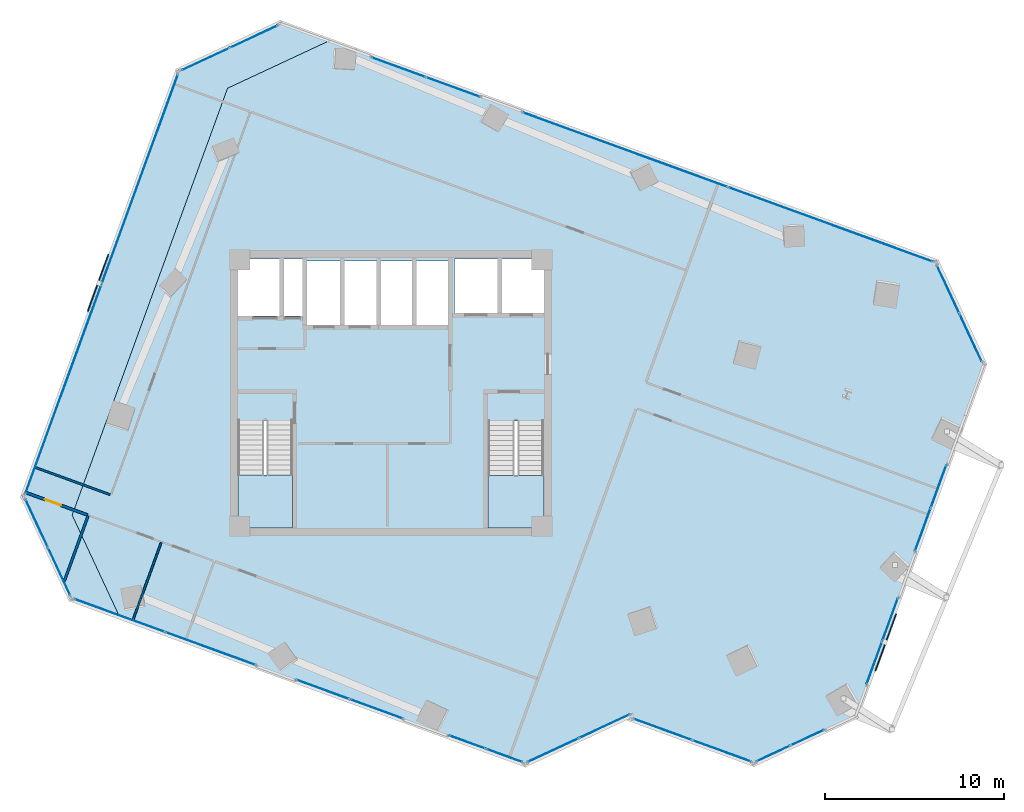
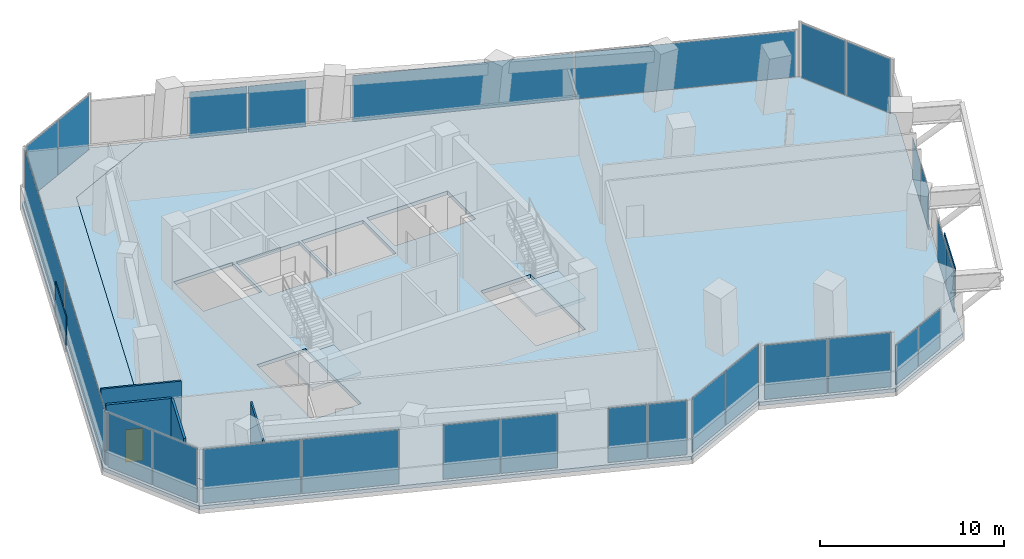
# One storey, part 15 of 21: 30 plates, 4 slabs, 4 walls, 1 door, 1 opening, 16 elements without a shape of their own.
"""IFC4 building model written with IfcOpenShell, lengths in metres."""

from ifc_helpers import new_model, si_unit, direction, frame, frame_2d, origin, origin_2d, place, context, subcontext, project, spatial, polyline, rectangle, outline, extrude, source, transform, mapped, material, layer, layer_set, type_object, element, fill, aggregate, save


model = new_model("IFC4")

# Units and contexts
model_context = context("Model", 3, precision=1e-05, world=origin(), true_north=direction((0.0, 1.0)))
body_context = subcontext(model_context, "Body", "Model", "MODEL_VIEW")
ifc_project = project(units=[si_unit("LENGTHUNIT", "METRE"), si_unit("AREAUNIT", "SQUARE_METRE"), si_unit("VOLUMEUNIT", "CUBIC_METRE"), si_unit("PLANEANGLEUNIT", "RADIAN"), si_unit("MASSUNIT", "GRAM", prefix="KILO")], contexts=[model_context])

# Site, building, storey
site_placement = place(None, origin())
site = spatial("IfcSite", under=ifc_project, at=site_placement, CompositionType="ELEMENT")
building_placement = place(site_placement, origin())
building = spatial("IfcBuilding", under=site, at=building_placement, Name="Torre Montelarca", CompositionType="ELEMENT")
storey_placement = place(building_placement, frame((0.0, 0.0, 137.199951171875)))
storey = spatial("IfcBuildingStorey", under=building, at=storey_placement, Name="L30", CompositionType="ELEMENT", Elevation=137.199951171875)

# Slabs
ifc_material_1 = material(Name="Concrete C40/50", Category="concrete")
ifc_layer_1 = layer(ifc_material_1, 0.239990234375, Name="Concrete C40/50", Category="concrete")
ifc_layer_set_1 = layer_set([ifc_layer_1], Name="Concrete C40/50")
slab_type_1 = type_object("IfcSlabType", Name="SL-FLR-240", PredefinedType="FLOOR", material=ifc_layer_set_1)
slab_1_placement = place(storey_placement, frame((0.0, 0.0, -0.239990234375)))
element("IfcSlab", 1, at=slab_1_placement, inside=storey, type_object=slab_type_1, Name="L30 Structural Floor Slab", PredefinedType="FLOOR", context=body_context, shape_type="SweptSolid", body=[
    extrude(outline(polyline([(25.517822265625, 11.169677734375), (31.28564453125, 13.859130859375), (31.25146484375, 13.76513671875), (38.299072265625, 11.199951171875), (44.06689453125, 13.889404296875), (51.249267578125, 33.623046875), (48.559814453125, 39.390869140625), (14.63671875, 51.73779296875), (8.869140625, 49.048095703125), (0.181884765625, 25.179931640625), (2.871337890625, 19.412353515625), (25.517822265625, 11.169677734375)]), holes=[polyline([(26.550048828125, 24.449951171875), (23.43994140625, 24.449951171875), (23.43994140625, 30.429931640625), (26.550048828125, 30.429931640625), (26.550048828125, 24.449951171875)]), polyline([(9.449951171875, 24.449951171875), (9.449951171875, 30.4599609375), (12.5, 30.4599609375), (12.5, 24.449951171875), (9.449951171875, 24.449951171875)]), polyline([(17.25, 35.800048828125), (13.300048828125, 35.800048828125), (13.300048828125, 39.39990234375), (17.25, 39.39990234375), (17.25, 35.800048828125)]), polyline([(21.25, 39.39990234375), (21.25, 35.800048828125), (17.39990234375, 35.800048828125), (17.39990234375, 39.39990234375), (21.25, 39.39990234375)]), polyline([(13.1201171875, 36.300048828125), (9.449951171875, 36.300048828125), (9.449951171875, 39.5), (13.1201171875, 39.5), (13.1201171875, 36.300048828125)]), polyline([(26.60009765625, 36.449951171875), (21.550048828125, 36.449951171875), (21.550048828125, 39.5), (26.60009765625, 39.5), (26.60009765625, 36.449951171875)])]), origin(), (0.0, 0.0, 1.0), 0.239990234375),
])
slab_2_placement = place(storey_placement, frame((0.0, 0.0, -0.239990234375)))
element("IfcSlab", 2, at=slab_2_placement, inside=storey, type_object=slab_type_1, Name="L30 Sliding Tray Winter Garden Floor Slab W1", PredefinedType="FLOOR", context=body_context, shape_type="SweptSolid", body=[
    extrude(outline(polyline([(2.871337890625, 19.412353515625), (0.181884765625, 25.179931640625), (8.869140625, 49.048095703125), (14.63671875, 51.73779296875), (11.817626953125, 52.763671875), (6.050048828125, 50.07421875), (-2.63720703125, 26.2060546875), (0.05224609375, 20.438232421875), (2.871337890625, 19.412353515625)])), origin(), (0.0, 0.0, 1.0), 0.239990234375),
])

# Stair, slab
stair_type_1 = type_object("IfcStairType", Name="ST-CORE-ST1", PredefinedType="HALF_TURN_STAIR", material=ifc_material_1)
stair_1_placement = place(storey_placement, origin())
stair_1 = element("IfcStair", 3, at=stair_1_placement, inside=storey, type_object=stair_type_1, Name="L30 Protected Exit Stair ST1", PredefinedType="HALF_TURN_STAIR")
ifc_layer_2 = layer(ifc_material_1, 0.199951171875, Name="Concrete C40/50", Category="concrete")
ifc_layer_set_2 = layer_set([ifc_layer_2], Name="Concrete C40/50")
slab_type_2 = type_object("IfcSlabType", Name="SL-ST-LAND-ST1", PredefinedType="LANDING", material=ifc_layer_set_2)
slab_3_placement = place(storey_placement, frame((0.0, 0.0, 1.900146484375)))
slab_3 = element("IfcSlab", 4, at=slab_3_placement, type_object=slab_type_2, Name="ST1 landing 1", PredefinedType="LANDING", context=body_context, shape_type="SweptSolid", body=[
    extrude(outline(polyline([(9.449951171875, 27.419921875), (9.449951171875, 24.449951171875), (12.5, 24.449951171875), (12.5, 27.419921875), (9.449951171875, 27.419921875)])), origin(), (0.0, 0.0, 1.0), 0.199951171875),
])
aggregate(stair_1, [slab_3])

stair_type_2 = type_object("IfcStairType", Name="ST-CORE-ST2", PredefinedType="HALF_TURN_STAIR", material=ifc_material_1)
stair_2_placement = place(storey_placement, origin())
stair_2 = element("IfcStair", 5, at=stair_2_placement, inside=storey, type_object=stair_type_2, Name="L30 Protected Exit Stair ST2", PredefinedType="HALF_TURN_STAIR")
ifc_layer_3 = layer(ifc_material_1, 0.199951171875, Name="Concrete C40/50", Category="concrete")
ifc_layer_set_3 = layer_set([ifc_layer_3], Name="Concrete C40/50")
slab_type_3 = type_object("IfcSlabType", Name="SL-ST-LAND-ST2", PredefinedType="LANDING", material=ifc_layer_set_3)
slab_4_placement = place(storey_placement, frame((0.0, 0.0, 1.900146484375)))
slab_4 = element("IfcSlab", 6, at=slab_4_placement, type_object=slab_type_3, Name="ST2 landing 1", PredefinedType="LANDING", context=body_context, shape_type="SweptSolid", body=[
    extrude(outline(polyline([(23.43994140625, 27.389892578125), (23.43994140625, 24.449951171875), (26.550048828125, 24.449951171875), (26.550048828125, 27.389892578125), (23.43994140625, 27.389892578125)])), origin(), (0.0, 0.0, 1.0), 0.199951171875),
])
aggregate(stair_2, [slab_4])

# Plates
ifc_material_2 = material(Name="Architectural perforated terracotta ceramic", Category="masonry")
ifc_layer_4 = layer(ifc_material_2, 0.06005859375, Name="Architectural perforated terracotta ceramic", Category="masonry")
ifc_layer_set_4 = layer_set([ifc_layer_4], Name="Architectural perforated terracotta ceramic")
plate_type_1 = type_object("IfcPlateType", Name="SCR-CER-60", PredefinedType="USERDEFINED", material=ifc_layer_set_4)
shared_shape_1 = source(origin(), body_context, "Body", "SweptSolid", [
    extrude(rectangle(XDim=3.39990234375, YDim=0.06005859375, at=origin_2d()), origin(), (0.0, 0.0, 1.0), 1.89990234375),
])
for number, where, z_axis, x_axis, name in (
    (7, (45.67138671875, 18.06396484375, 0.5), (0.0, 0.0, 1.0), (0.342018503252, 0.939693217722, 0.0), "L30 Perforated Ceramic Brise-Soleil Screen E6-1"),
    (8, (1.631103515625, 38.16748046875, 0.5), (0.0, 0.0, 1.0), (-0.342020143326, -0.939692620786, 0.0), "L30 Perforated Ceramic Brise-Soleil Screen E10-1"),
):
    element("IfcPlate", number, at=place(storey_placement, frame(where, z_axis=z_axis, x_axis=x_axis)), inside=storey, type_object=plate_type_1, Name=name, ObjectType="SOLAR SCREEN", PredefinedType="USERDEFINED", context=body_context, shape_type="MappedRepresentation", body=[
        mapped(shared_shape_1, transform((0.0, 0.0, 0.0), scale=1.0)),
    ])

# Curtain wall, plates
ifc_material_3 = material(Name="Insulated low-E laminated glass", Category="glass")
curtain_wall_type = type_object("IfcCurtainWallType", Name="CW-SYS-Z2", PredefinedType="USERDEFINED", material=ifc_material_3)
curtain_wall_1_placement = place(storey_placement, origin())
curtain_wall_1 = element("IfcCurtainWall", 9, at=curtain_wall_1_placement, inside=storey, type_object=curtain_wall_type, Name="L30 Curtain Wall Run CW-T3-L30-E02-B1", ObjectType="UNITISED GLAZING", PredefinedType="USERDEFINED")
ifc_layer_5 = layer(ifc_material_3, 0.031982421875, Name="Insulated low-E laminated glass", Category="glass")
ifc_layer_set_5 = layer_set([ifc_layer_5], Name="Insulated low-E laminated glass")
plate_type_2 = type_object("IfcPlateType", Name="CWP-GLZ-32", PredefinedType="CURTAIN_PANEL", material=ifc_layer_set_5)
shared_shape_2 = source(origin(), body_context, "Body", "SweptSolid", [
    extrude(rectangle(XDim=3.102294921875, YDim=0.031982421875, at=origin_2d()), origin(), (0.0, 0.0, 1.0), 3.590087890625),
])
plate_1_placement = place(storey_placement, frame((27.078125, 12.04052734375, 0.06494140625), z_axis=(0.0, 0.0, 1.0), x_axis=(0.906321211244, 0.42258947224, 0.0)))
plate_1 = element("IfcPlate", 10, at=plate_1_placement, type_object=plate_type_2, Name="CW panel 1.1", PredefinedType="CURTAIN_PANEL", context=body_context, shape_type="MappedRepresentation", body=[
    mapped(shared_shape_2, transform((0.0, 0.0, 0.0), scale=1.0)),
])
plate_2_placement = place(storey_placement, frame((29.94873046875, 13.379150390625, 0.06494140625), z_axis=(0.0, 0.0, 1.0), x_axis=(0.906321211244, 0.42258947224, 0.0)))
plate_2 = element("IfcPlate", 11, at=plate_2_placement, type_object=plate_type_2, Name="CW panel 2.1", PredefinedType="CURTAIN_PANEL", context=body_context, shape_type="MappedRepresentation", body=[
    mapped(shared_shape_2, transform((0.0, 0.0, 0.0), scale=1.0)),
])
aggregate(curtain_wall_1, [plate_1, plate_2])

curtain_wall_2_placement = place(storey_placement, origin())
curtain_wall_2 = element("IfcCurtainWall", 12, at=curtain_wall_2_placement, inside=storey, type_object=curtain_wall_type, Name="L30 Curtain Wall Run CW-T3-L30-E04-B1", ObjectType="UNITISED GLAZING", PredefinedType="USERDEFINED")
shared_shape_3 = source(origin(), body_context, "Body", "SweptSolid", [
    extrude(rectangle(XDim=3.448486328125, YDim=0.031982421875, at=origin_2d()), origin(), (0.0, 0.0, 1.0), 3.590087890625),
])
plate_3_placement = place(storey_placement, frame((33.20458984375, 13.192626953125, 0.06494140625), z_axis=(0.0, 0.0, 1.0), x_axis=(0.939694579801, -0.342014760928, 0.0)))
plate_3 = element("IfcPlate", 13, at=plate_3_placement, type_object=plate_type_2, Name="CW panel 1.1", PredefinedType="CURTAIN_PANEL", context=body_context, shape_type="MappedRepresentation", body=[
    mapped(shared_shape_3, transform((0.0, 0.0, 0.0), scale=1.0)),
])
plate_4_placement = place(storey_placement, frame((36.50634765625, 11.990966796875, 0.06494140625), z_axis=(0.0, 0.0, 1.0), x_axis=(0.939694579801, -0.342014760928, 0.0)))
plate_4 = element("IfcPlate", 14, at=plate_4_placement, type_object=plate_type_2, Name="CW panel 2.1", PredefinedType="CURTAIN_PANEL", context=body_context, shape_type="MappedRepresentation", body=[
    mapped(shared_shape_3, transform((0.0, 0.0, 0.0), scale=1.0)),
])
aggregate(curtain_wall_2, [plate_3, plate_4])

curtain_wall_3_placement = place(storey_placement, origin())
curtain_wall_3 = element("IfcCurtainWall", 15, at=curtain_wall_3_placement, inside=storey, type_object=curtain_wall_type, Name="L30 Curtain Wall Run CW-T3-L30-E07-B1", ObjectType="UNITISED GLAZING", PredefinedType="USERDEFINED")
shared_shape_4 = source(origin(), body_context, "Body", "SweptSolid", [
    extrude(rectangle(XDim=2.918701171875, YDim=0.031982421875, at=origin_2d()), origin(), (0.0, 0.0, 1.0), 3.590087890625),
])
plate_5_placement = place(storey_placement, frame((50.4169921875, 35.10009765625, 0.06494140625), z_axis=(0.0, 0.0, 1.0), x_axis=(-0.422597755027, 0.906317349192, 0.0)))
plate_5 = element("IfcPlate", 16, at=plate_5_placement, type_object=plate_type_2, Name="CW panel 1.1", PredefinedType="CURTAIN_PANEL", context=body_context, shape_type="MappedRepresentation", body=[
    mapped(shared_shape_4, transform((0.0, 0.0, 0.0), scale=1.0)),
])
plate_6_placement = place(storey_placement, frame((49.15625, 37.80419921875, 0.06494140625), z_axis=(0.0, 0.0, 1.0), x_axis=(-0.422597755027, 0.906317349192, 0.0)))
plate_6 = element("IfcPlate", 17, at=plate_6_placement, type_object=plate_type_2, Name="CW panel 2.1", PredefinedType="CURTAIN_PANEL", context=body_context, shape_type="MappedRepresentation", body=[
    mapped(shared_shape_4, transform((0.0, 0.0, 0.0), scale=1.0)),
])
aggregate(curtain_wall_3, [plate_5, plate_6])

curtain_wall_4_placement = place(storey_placement, origin())
curtain_wall_4 = element("IfcCurtainWall", 18, at=curtain_wall_4_placement, inside=storey, type_object=curtain_wall_type, Name="L30 Curtain Wall Run CW-T3-L30-E09-B1", ObjectType="UNITISED GLAZING", PredefinedType="USERDEFINED")
plate_7_placement = place(storey_placement, frame((10.3408203125, 51.931640625, 0.06494140625), z_axis=(0.0, 0.0, 1.0), x_axis=(-0.906317349192, -0.422597755027, 0.0)))
plate_7 = element("IfcPlate", 19, at=plate_7_placement, type_object=plate_type_2, Name="CW panel 1.1", PredefinedType="CURTAIN_PANEL", context=body_context, shape_type="MappedRepresentation", body=[
    mapped(shared_shape_4, transform((0.0, 0.0, 0.0), scale=1.0)),
])
plate_8_placement = place(storey_placement, frame((7.63671875, 50.670654296875, 0.06494140625), z_axis=(0.0, 0.0, 1.0), x_axis=(-0.906317349192, -0.422597755027, 0.0)))
plate_8 = element("IfcPlate", 20, at=plate_8_placement, type_object=plate_type_2, Name="CW panel 2.1", PredefinedType="CURTAIN_PANEL", context=body_context, shape_type="MappedRepresentation", body=[
    mapped(shared_shape_4, transform((0.0, 0.0, 0.0), scale=1.0)),
])
aggregate(curtain_wall_4, [plate_7, plate_8])

curtain_wall_5_placement = place(storey_placement, origin())
curtain_wall_5 = element("IfcCurtainWall", 21, at=curtain_wall_5_placement, inside=storey, type_object=curtain_wall_type, Name="L30 Curtain Wall Run CW-T3-L30-E11-B1", ObjectType="UNITISED GLAZING", PredefinedType="USERDEFINED")
plate_9_placement = place(storey_placement, frame((-1.80517578125, 24.72900390625, 0.06494140625), z_axis=(0.0, 0.0, 1.0), x_axis=(0.422597755027, -0.906317349192, 0.0)))
plate_9 = element("IfcPlate", 22, at=plate_9_placement, type_object=plate_type_2, Name="CW panel 1.1", PredefinedType="CURTAIN_PANEL", context=body_context, shape_type="MappedRepresentation", body=[
    mapped(shared_shape_4, transform((0.0, 0.0, 0.0), scale=1.0)),
])
plate_10_placement = place(storey_placement, frame((-0.544189453125, 22.02490234375, 0.06494140625), z_axis=(0.0, 0.0, 1.0), x_axis=(0.422597755027, -0.906317349192, 0.0)))
plate_10 = element("IfcPlate", 23, at=plate_10_placement, type_object=plate_type_2, Name="CW panel 2.1", PredefinedType="CURTAIN_PANEL", context=body_context, shape_type="MappedRepresentation", body=[
    mapped(shared_shape_4, transform((0.0, 0.0, 0.0), scale=1.0)),
])
aggregate(curtain_wall_5, [plate_9, plate_10])

curtain_wall_6_placement = place(storey_placement, origin())
curtain_wall_6 = element("IfcCurtainWall", 24, at=curtain_wall_6_placement, inside=storey, type_object=curtain_wall_type, Name="L30 Curtain Wall Run CW-T3-L30-E10-B1", ObjectType="UNITISED GLAZING", PredefinedType="USERDEFINED")
shared_shape_5 = source(origin(), body_context, "Body", "SweptSolid", [
    extrude(rectangle(XDim=12.4365234375, YDim=0.031982421875, at=origin_2d()), origin(), (0.0, 0.0, 1.0), 3.590087890625),
])
plate_11_placement = place(storey_placement, frame((3.96630859375, 43.969482421875, 0.06494140625), z_axis=(0.0, 0.0, 1.0), x_axis=(-0.342019142012, -0.939692985234, 0.0)))
plate_11 = element("IfcPlate", 25, at=plate_11_placement, type_object=plate_type_2, Name="CW panel 1.1", PredefinedType="CURTAIN_PANEL", context=body_context, shape_type="MappedRepresentation", body=[
    mapped(shared_shape_5, transform((0.0, 0.0, 0.0), scale=1.0)),
])
plate_12_placement = place(storey_placement, frame((-0.309326171875, 32.2216796875, 0.06494140625), z_axis=(0.0, 0.0, 1.0), x_axis=(-0.342019142012, -0.939692985234, 0.0)))
plate_12 = element("IfcPlate", 26, at=plate_12_placement, type_object=plate_type_2, Name="CW panel 2.1", PredefinedType="CURTAIN_PANEL", context=body_context, shape_type="MappedRepresentation", body=[
    mapped(shared_shape_5, transform((0.0, 0.0, 0.0), scale=1.0)),
])
aggregate(curtain_wall_6, [plate_11, plate_12])

curtain_wall_7_placement = place(storey_placement, origin())
curtain_wall_7 = element("IfcCurtainWall", 27, at=curtain_wall_7_placement, inside=storey, type_object=curtain_wall_type, Name="L30 Curtain Wall Run CW-T3-L30-E01-B1", ObjectType="UNITISED GLAZING", PredefinedType="USERDEFINED")
shared_shape_6 = source(origin(), body_context, "Body", "SweptSolid", [
    extrude(rectangle(XDim=5.361572265625, YDim=0.031982421875, at=origin_2d()), origin(), (0.0, 0.0, 1.0), 3.590087890625),
])
plate_13_placement = place(storey_placement, frame((2.832763671875, 19.564453125, 0.06494140625), z_axis=(0.0, 0.0, 1.0), x_axis=(0.939692567993, -0.342020288374, 0.0)))
plate_13 = element("IfcPlate", 28, at=plate_13_placement, type_object=plate_type_2, Name="CW panel 1.1", PredefinedType="CURTAIN_PANEL", context=body_context, shape_type="MappedRepresentation", body=[
    mapped(shared_shape_6, transform((0.0, 0.0, 0.0), scale=1.0)),
])
plate_14_placement = place(storey_placement, frame((7.932373046875, 17.70849609375, 0.06494140625), z_axis=(0.0, 0.0, 1.0), x_axis=(0.939692567993, -0.342020288374, 0.0)))
plate_14 = element("IfcPlate", 29, at=plate_14_placement, type_object=plate_type_2, Name="CW panel 2.1", PredefinedType="CURTAIN_PANEL", context=body_context, shape_type="MappedRepresentation", body=[
    mapped(shared_shape_6, transform((0.0, 0.0, 0.0), scale=1.0)),
])
aggregate(curtain_wall_7, [plate_13, plate_14])

curtain_wall_8_placement = place(storey_placement, origin())
curtain_wall_8 = element("IfcCurtainWall", 30, at=curtain_wall_8_placement, inside=storey, type_object=curtain_wall_type, Name="L30 Curtain Wall Run CW-T3-L30-E01-B2", ObjectType="UNITISED GLAZING", PredefinedType="USERDEFINED")
shared_shape_7 = source(origin(), body_context, "Body", "SweptSolid", [
    extrude(rectangle(XDim=3.11962890625, YDim=0.031982421875, at=origin_2d()), origin(), (0.0, 0.0, 1.0), 3.590087890625),
])
plate_15_placement = place(storey_placement, frame((14.197021484375, 15.428466796875, 0.06494140625), z_axis=(0.0, 0.0, 1.0), x_axis=(0.939690824313, -0.342025079055, 0.0)))
plate_15 = element("IfcPlate", 31, at=plate_15_placement, type_object=plate_type_2, Name="CW panel 1.1", PredefinedType="CURTAIN_PANEL", context=body_context, shape_type="MappedRepresentation", body=[
    mapped(shared_shape_7, transform((0.0, 0.0, 0.0), scale=1.0)),
])
plate_16_placement = place(storey_placement, frame((17.189453125, 14.339111328125, 0.06494140625), z_axis=(0.0, 0.0, 1.0), x_axis=(0.939690824313, -0.342025079055, 0.0)))
plate_16 = element("IfcPlate", 32, at=plate_16_placement, type_object=plate_type_2, Name="CW panel 2.1", PredefinedType="CURTAIN_PANEL", context=body_context, shape_type="MappedRepresentation", body=[
    mapped(shared_shape_7, transform((0.0, 0.0, 0.0), scale=1.0)),
])
aggregate(curtain_wall_8, [plate_15, plate_16])

curtain_wall_9_placement = place(storey_placement, origin())
curtain_wall_9 = element("IfcCurtainWall", 33, at=curtain_wall_9_placement, inside=storey, type_object=curtain_wall_type, Name="L30 Curtain Wall Run CW-T3-L30-E01-B3", ObjectType="UNITISED GLAZING", PredefinedType="USERDEFINED")
shared_shape_8 = source(origin(), body_context, "Body", "SweptSolid", [
    extrude(rectangle(XDim=2.142822265625, YDim=0.031982421875, at=origin_2d()), origin(), (0.0, 0.0, 1.0), 3.590087890625),
])
plate_17_placement = place(storey_placement, frame((22.263916015625, 12.492431640625, 0.06494140625), z_axis=(0.0, 0.0, 1.0), x_axis=(0.939692382028, -0.342020799306, 0.0)))
plate_17 = element("IfcPlate", 34, at=plate_17_placement, type_object=plate_type_2, Name="CW panel 1.1", PredefinedType="CURTAIN_PANEL", context=body_context, shape_type="MappedRepresentation", body=[
    mapped(shared_shape_8, transform((0.0, 0.0, 0.0), scale=1.0)),
])
plate_18_placement = place(storey_placement, frame((24.338623046875, 11.7373046875, 0.06494140625), z_axis=(0.0, 0.0, 1.0), x_axis=(0.939692382028, -0.342020799306, 0.0)))
plate_18 = element("IfcPlate", 35, at=plate_18_placement, type_object=plate_type_2, Name="CW panel 2.1", PredefinedType="CURTAIN_PANEL", context=body_context, shape_type="MappedRepresentation", body=[
    mapped(shared_shape_8, transform((0.0, 0.0, 0.0), scale=1.0)),
])
aggregate(curtain_wall_9, [plate_17, plate_18])

curtain_wall_10_placement = place(storey_placement, origin())
curtain_wall_10 = element("IfcCurtainWall", 36, at=curtain_wall_10_placement, inside=storey, type_object=curtain_wall_type, Name="L30 Curtain Wall Run CW-T3-L30-E05-B1", ObjectType="UNITISED GLAZING", PredefinedType="USERDEFINED")
shared_shape_9 = source(origin(), body_context, "Body", "SweptSolid", [
    extrude(rectangle(XDim=2.03955078125, YDim=0.031982421875, at=origin_2d()), origin(), (0.0, 0.0, 1.0), 2.64501953125),
])
plate_19_placement = place(storey_placement, frame((39.377685546875, 11.846435546875, 0.06494140625), z_axis=(0.0, 0.0, 1.0), x_axis=(0.906319367629, 0.422593426192, 0.0)))
plate_19 = element("IfcPlate", 37, at=plate_19_placement, type_object=plate_type_2, Name="CW panel 1.1", PredefinedType="CURTAIN_PANEL", context=body_context, shape_type="MappedRepresentation", body=[
    mapped(shared_shape_9, transform((0.0, 0.0, 0.0), scale=1.0)),
])
plate_20_placement = place(storey_placement, frame((41.28515625, 12.73583984375, 0.06494140625), z_axis=(0.0, 0.0, 1.0), x_axis=(0.906319367629, 0.422593426192, 0.0)))
plate_20 = element("IfcPlate", 38, at=plate_20_placement, type_object=plate_type_2, Name="CW panel 2.1", PredefinedType="CURTAIN_PANEL", context=body_context, shape_type="MappedRepresentation", body=[
    mapped(shared_shape_9, transform((0.0, 0.0, 0.0), scale=1.0)),
])
aggregate(curtain_wall_10, [plate_19, plate_20])

curtain_wall_11_placement = place(storey_placement, origin())
curtain_wall_11 = element("IfcCurtainWall", 39, at=curtain_wall_11_placement, inside=storey, type_object=curtain_wall_type, Name="L30 Curtain Wall Run CW-T3-L30-E06-B1", ObjectType="UNITISED GLAZING", PredefinedType="USERDEFINED")
shared_shape_10 = source(origin(), body_context, "Body", "SweptSolid", [
    extrude(rectangle(XDim=2.520263671875, YDim=0.031982421875, at=origin_2d()), origin(), (0.0, 0.0, 1.0), 2.64501953125),
])
plate_21_placement = place(storey_placement, frame((45.031982421875, 16.921142578125, 0.06494140625), z_axis=(0.0, 0.0, 1.0), x_axis=(0.342005306576, 0.939698020789, 0.0)))
plate_21 = element("IfcPlate", 40, at=plate_21_placement, type_object=plate_type_2, Name="CW panel 1.1", PredefinedType="CURTAIN_PANEL", context=body_context, shape_type="MappedRepresentation", body=[
    mapped(shared_shape_10, transform((0.0, 0.0, 0.0), scale=1.0)),
])
plate_22_placement = place(storey_placement, frame((45.916015625, 19.350341796875, 0.06494140625), z_axis=(0.0, 0.0, 1.0), x_axis=(0.342005306576, 0.939698020789, 0.0)))
plate_22 = element("IfcPlate", 41, at=plate_22_placement, type_object=plate_type_2, Name="CW panel 2.1", PredefinedType="CURTAIN_PANEL", context=body_context, shape_type="MappedRepresentation", body=[
    mapped(shared_shape_10, transform((0.0, 0.0, 0.0), scale=1.0)),
])
aggregate(curtain_wall_11, [plate_21, plate_22])

curtain_wall_12_placement = place(storey_placement, origin())
curtain_wall_12 = element("IfcCurtainWall", 42, at=curtain_wall_12_placement, inside=storey, type_object=curtain_wall_type, Name="L30 Curtain Wall Run CW-T3-L30-E06-B2", ObjectType="UNITISED GLAZING", PredefinedType="USERDEFINED")
shared_shape_11 = source(origin(), body_context, "Body", "SweptSolid", [
    extrude(rectangle(XDim=2.517333984375, YDim=0.031982421875, at=origin_2d()), origin(), (0.0, 0.0, 1.0), 2.64501953125),
])
plate_23_placement = place(storey_placement, frame((47.7412109375, 24.364990234375, 0.06494140625), z_axis=(0.0, 0.0, 1.0), x_axis=(0.342022485644, 0.939691768248, 0.0)))
plate_23 = element("IfcPlate", 43, at=plate_23_placement, type_object=plate_type_2, Name="CW panel 1.1", PredefinedType="CURTAIN_PANEL", context=body_context, shape_type="MappedRepresentation", body=[
    mapped(shared_shape_11, transform((0.0, 0.0, 0.0), scale=1.0)),
])
plate_24_placement = place(storey_placement, frame((48.62451171875, 26.79150390625, 0.06494140625), z_axis=(0.0, 0.0, 1.0), x_axis=(0.342022485644, 0.939691768248, 0.0)))
plate_24 = element("IfcPlate", 44, at=plate_24_placement, type_object=plate_type_2, Name="CW panel 2.1", PredefinedType="CURTAIN_PANEL", context=body_context, shape_type="MappedRepresentation", body=[
    mapped(shared_shape_11, transform((0.0, 0.0, 0.0), scale=1.0)),
])
aggregate(curtain_wall_12, [plate_23, plate_24])

curtain_wall_13_placement = place(storey_placement, origin())
curtain_wall_13 = element("IfcCurtainWall", 45, at=curtain_wall_13_placement, inside=storey, type_object=curtain_wall_type, Name="L30 Curtain Wall Run CW-T3-L30-E08-B1", ObjectType="UNITISED GLAZING", PredefinedType="USERDEFINED")
shared_shape_12 = source(origin(), body_context, "Body", "SweptSolid", [
    extrude(rectangle(XDim=12.159912109375, YDim=0.031982421875, at=origin_2d()), origin(), (0.0, 0.0, 1.0), 3.044921875),
])
plate_25_placement = place(storey_placement, frame((42.5849609375, 41.427001953125, 0.065185546875), z_axis=(0.0, 0.0, 1.0), x_axis=(-0.939693935749, 0.342016530472, 0.0)))
plate_25 = element("IfcPlate", 46, at=plate_25_placement, type_object=plate_type_2, Name="CW panel 1.1", PredefinedType="CURTAIN_PANEL", context=body_context, shape_type="MappedRepresentation", body=[
    mapped(shared_shape_12, transform((0.0, 0.0, 0.0), scale=1.0)),
])
plate_26_placement = place(storey_placement, frame((31.09716796875, 45.608154296875, 0.065185546875), z_axis=(0.0, 0.0, 1.0), x_axis=(-0.939693935749, 0.342016530472, 0.0)))
plate_26 = element("IfcPlate", 47, at=plate_26_placement, type_object=plate_type_2, Name="CW panel 2.1", PredefinedType="CURTAIN_PANEL", context=body_context, shape_type="MappedRepresentation", body=[
    mapped(shared_shape_12, transform((0.0, 0.0, 0.0), scale=1.0)),
])
aggregate(curtain_wall_13, [plate_25, plate_26])

curtain_wall_14_placement = place(storey_placement, origin())
curtain_wall_14 = element("IfcCurtainWall", 48, at=curtain_wall_14_placement, inside=storey, type_object=curtain_wall_type, Name="L30 Curtain Wall Run CW-T3-L30-E08-B2", ObjectType="UNITISED GLAZING", PredefinedType="USERDEFINED")
shared_shape_13 = source(origin(), body_context, "Body", "SweptSolid", [
    extrude(rectangle(XDim=3.1767578125, YDim=0.031982421875, at=origin_2d()), origin(), (0.0, 0.0, 1.0), 3.044921875),
])
plate_27_placement = place(storey_placement, frame((21.4736328125, 49.11083984375, 0.065185546875), z_axis=(0.0, 0.0, 1.0), x_axis=(-0.93969395737, 0.342016471068, 0.0)))
plate_27 = element("IfcPlate", 49, at=plate_27_placement, type_object=plate_type_2, Name="CW panel 1.1", PredefinedType="CURTAIN_PANEL", context=body_context, shape_type="MappedRepresentation", body=[
    mapped(shared_shape_13, transform((0.0, 0.0, 0.0), scale=1.0)),
])
plate_28_placement = place(storey_placement, frame((18.427490234375, 50.2197265625, 0.065185546875), z_axis=(0.0, 0.0, 1.0), x_axis=(-0.93969395737, 0.342016471068, 0.0)))
plate_28 = element("IfcPlate", 50, at=plate_28_placement, type_object=plate_type_2, Name="CW panel 2.1", PredefinedType="CURTAIN_PANEL", context=body_context, shape_type="MappedRepresentation", body=[
    mapped(shared_shape_13, transform((0.0, 0.0, 0.0), scale=1.0)),
])
aggregate(curtain_wall_14, [plate_27, plate_28])

# Wall, opening, door
ifc_material_4 = material(Name="Gypsum plasterboard on steel stud", Category="steel")
ifc_layer_6 = layer(ifc_material_4, 0.159912109375, Name="Gypsum plasterboard on steel stud", Category="steel")
ifc_layer_set_6 = layer_set([ifc_layer_6], Name="Gypsum plasterboard on steel stud")
wall_type_1 = type_object("IfcWallType", Name="PW-FIRE-160", PredefinedType="PARTITIONING", material=ifc_layer_set_6)
wall_1_placement = place(storey_placement, frame((-2.365478515625, 26.426513671875, 0.0), z_axis=(0.0, 0.0, 1.0), x_axis=(0.939671610829, -0.342077862192, 0.0)))
wall_1 = element("IfcWall", 51, at=wall_1_placement, inside=storey, type_object=wall_type_1, Name="L30 Interior Partition W-L30-SOCCW", PredefinedType="PARTITIONING", context=body_context, shape_type="SweptSolid", body=[
    extrude(rectangle(XDim=3.6298828125, YDim=0.159912109375, at=frame_2d((1.81494140625, 0.0))), origin(), (0.0, 0.0, 1.0), 3.9599609375),
])
opening_placement = place(wall_1_placement, frame((1.10009765625, 0.0, 0.0)))
opening = element("IfcOpeningElement", 52, at=opening_placement, cuts=wall_1, Name="Opening FD-095", PredefinedType="OPENING", context=body_context, shape_type="SweptSolid", body=[
    extrude(rectangle(XDim=0.949951171875, YDim=2.14990234375, at=frame_2d((0.47509765625, 1.074951171875))), frame((0.0, 0.08984375, 0.0), z_axis=(0.0, -1.0, 0.0), x_axis=(1.0, 0.0, 0.0)), (0.0, 0.0, 1.0), 0.179931640625),
])
ifc_material_5 = material(Name="Timber fire-rated room door", Category="wood")
door_type = type_object("IfcDoorType", Name="DR-FIRE-095", OperationType="NOTDEFINED", PredefinedType="DOOR", material=ifc_material_5)
shared_shape_14 = source(origin(), body_context, "Body", "SweptSolid", [
    extrude(rectangle(XDim=0.949951171875, YDim=2.14990234375, at=frame_2d((0.47509765625, 1.074951171875))), frame((0.0, 0.02490234375, 0.0), z_axis=(0.0, -1.0, 0.0), x_axis=(1.0, 0.0, 0.0)), (0.0, 0.0, 1.0), 0.050048828125),
])
door_placement = place(opening_placement, origin())
door = element("IfcDoor", 53, at=door_placement, inside=storey, type_object=door_type, Name="L30 Interior Door 04", OperationType="SINGLE_SWING_LEFT", OverallHeight=2.14990234375, OverallWidth=0.949951171875, PredefinedType="DOOR", context=body_context, shape_type="MappedRepresentation", body=[
    mapped(shared_shape_14, transform((0.0, 0.0, 0.0), scale=1.0)),
])
fill(opening, door)

# Walls
ifc_material_6 = material(Name="Acoustic laminated glass partition", Category="glass")
ifc_layer_7 = layer(ifc_material_6, 0.10009765625, Name="Acoustic laminated glass partition", Category="glass")
ifc_layer_set_7 = layer_set([ifc_layer_7], Name="Acoustic laminated glass partition")
wall_type_2 = type_object("IfcWallType", Name="PW-GLAZ-100", PredefinedType="PARTITIONING", material=ifc_layer_set_7)
wall_2_placement = place(storey_placement, frame((3.5908203125, 19.342041015625, 0.0), z_axis=(0.0, 0.0, 1.0), x_axis=(0.341969903355, 0.939710905119, 0.0)))
element("IfcWall", 54, at=wall_2_placement, inside=storey, type_object=wall_type_2, Name="L30 Interior Partition W-L30-WCD", PredefinedType="PARTITIONING", context=body_context, shape_type="SweptSolid", body=[
    extrude(rectangle(XDim=4.579833984375, YDim=0.10009765625, at=frame_2d((2.2900390625, 0.0))), origin(), (0.0, 0.0, 1.0), 3.195068359375),
])
ifc_layer_8 = layer(ifc_material_4, 0.114990234375, Name="Gypsum plasterboard on steel stud", Category="steel")
ifc_layer_set_8 = layer_set([ifc_layer_8], Name="Gypsum plasterboard on steel stud")
wall_type_3 = type_object("IfcWallType", Name="PW-PART-115", PredefinedType="PARTITIONING", material=ifc_layer_set_8)
wall_3_placement = place(storey_placement, frame((-1.8525390625, 27.8359375, 0.0), z_axis=(0.0, 0.0, 1.0), x_axis=(0.939693620895, -0.342017395535, 0.0)))
element("IfcWall", 55, at=wall_3_placement, inside=storey, type_object=wall_type_3, Name="L30 Interior Partition W-L30-WWGS", PredefinedType="PARTITIONING", context=body_context, shape_type="SweptSolid", body=[
    extrude(rectangle(XDim=4.429931640625, YDim=0.114990234375, at=frame_2d((2.21484375, 0.0))), origin(), (0.0, 0.0, 1.0), 3.9599609375),
])
ifc_layer_9 = layer(ifc_material_4, 0.135009765625, Name="Gypsum plasterboard on steel stud", Category="steel")
ifc_layer_set_9 = layer_set([ifc_layer_9], Name="Gypsum plasterboard on steel stud")
wall_type_4 = type_object("IfcWallType", Name="PW-PART-135", PredefinedType="PARTITIONING", material=ifc_layer_set_9)
wall_4_placement = place(storey_placement, frame((-0.2548828125, 21.4951171875, 0.0), z_axis=(0.0, 0.0, 1.0), x_axis=(0.342006312725, 0.939697654598, 0.0)))
element("IfcWall", 56, at=wall_4_placement, inside=storey, type_object=wall_type_4, Name="L30 Interior Partition W-L30-WCW", PredefinedType="PARTITIONING", context=body_context, shape_type="SweptSolid", body=[
    extrude(rectangle(XDim=3.871826171875, YDim=0.135009765625, at=frame_2d((1.93603515625, 0.0))), origin(), (0.0, 0.0, 1.0), 3.9599609375),
])

save(model, "model.ifc")
